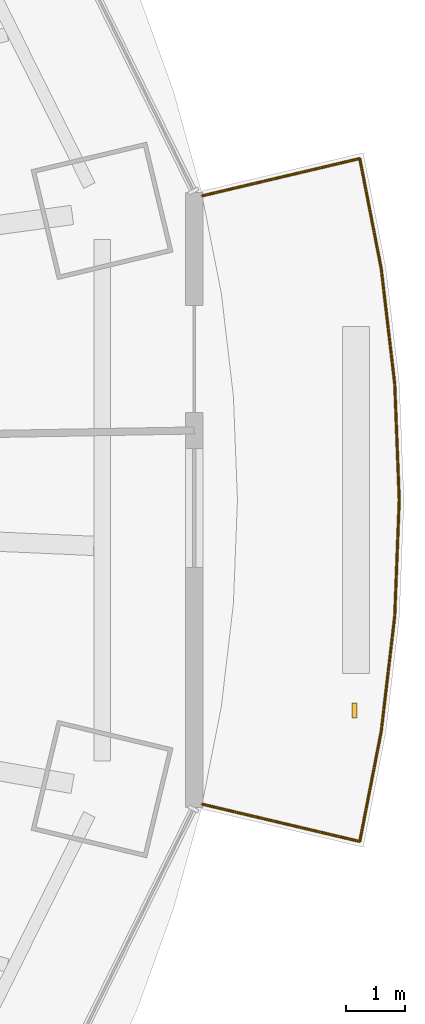
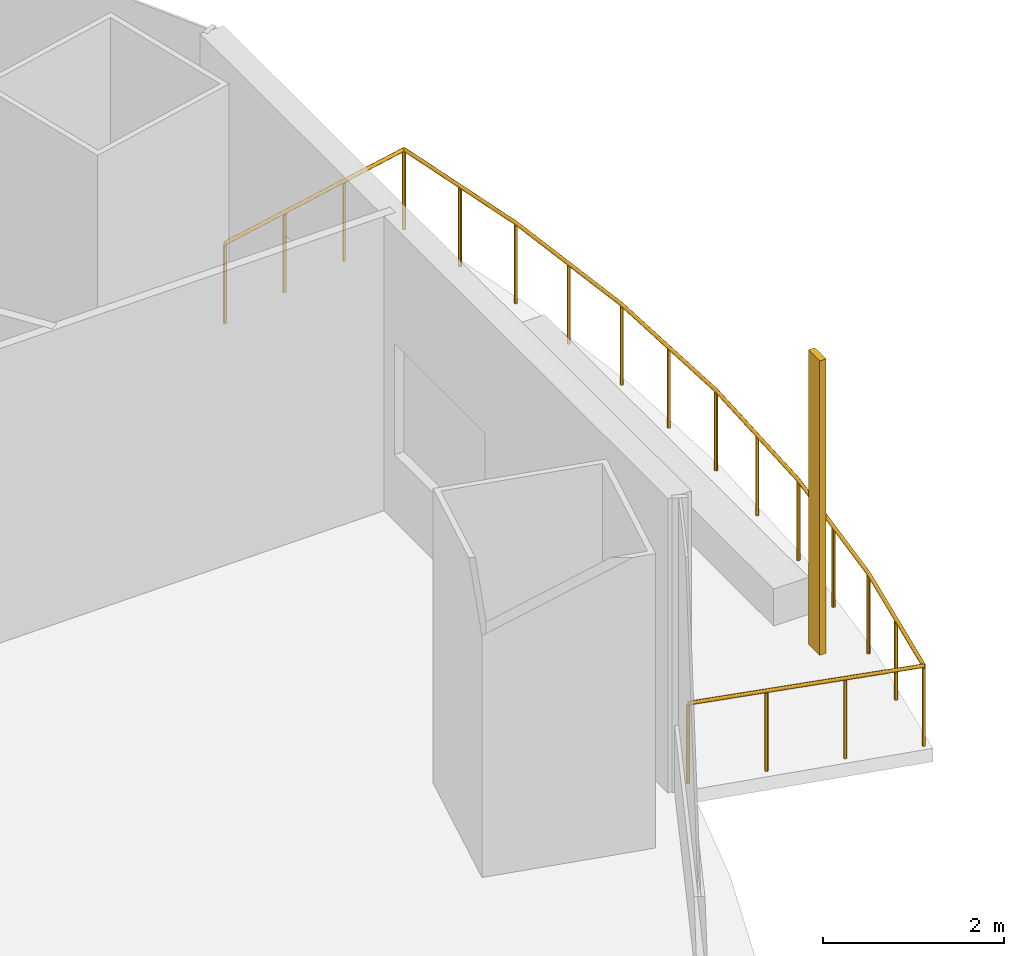
# One storey, part 20 of 21: 1 railing, 1 shading device.
"""IFC4 building model written with IfcOpenShell, lengths in metres."""

from ifc_helpers import new_model, si_unit, direction, frame, origin, origin_2d, place, context, subcontext, project, spatial, rectangle, circle, extrude, material, material_profile, profile_set, type_object, element, save


model = new_model("IFC4")

# Units and contexts
model_context = context("Model", 3, precision=1e-05, world=origin(), true_north=direction((0.0, 1.0)))
body_context = subcontext(model_context, "Body", "Model", "MODEL_VIEW")
ifc_project = project(units=[si_unit("LENGTHUNIT", "METRE"), si_unit("AREAUNIT", "SQUARE_METRE"), si_unit("VOLUMEUNIT", "CUBIC_METRE"), si_unit("PLANEANGLEUNIT", "RADIAN"), si_unit("MASSUNIT", "GRAM", prefix="KILO")], contexts=[model_context])

# Site, building, storey
site_placement = place(None, origin())
site = spatial("IfcSite", under=ifc_project, at=site_placement, CompositionType="ELEMENT")
building_placement = place(site_placement, origin())
building = spatial("IfcBuilding", under=site, at=building_placement, Name="Marenthal Gate Tower", CompositionType="ELEMENT")
storey_placement = place(building_placement, frame((0.0, 0.0, 202.550048828125)))
storey = spatial("IfcBuildingStorey", under=building, at=storey_placement, Name="L44", CompositionType="ELEMENT", Elevation=202.550048828125)

# Railing
ifc_material_1 = material(Name="Stainless steel", Category="steel")
railing_type = type_object("IfcRailingType", Name="Balcony guard 1100", PredefinedType="GUARDRAIL", material=ifc_material_1)
railing_placement = place(storey_placement, frame((32.9013671875, 4.514404296875, 0.0)))
element("IfcRailing", 1, at=railing_placement, inside=storey, type_object=railing_type, Name="Balcony guard L44 bay 16", PredefinedType="GUARDRAIL", context=body_context, shape_type="SweptSolid", body=[
    extrude(circle(Radius=0.02392578125, at=origin_2d()), frame((0.0, 0.0, 1.076171875), z_axis=(0.973011948097, 0.230284879064, -0.014718129449), x_axis=(-0.230309825657, 0.973117353769, 0.0)), (0.0, 0.0, 1.0), 2.720458984375),
    extrude(circle(Radius=0.02392578125, at=origin_2d()), frame((2.64697265625, 0.62646484375, 1.0361328125), z_axis=(0.191345653043, -0.98152271551, 0.0), x_axis=(0.98152271551, 0.191345653043, 0.0)), (0.0, 0.0, 1.0), 1.880615234375),
    extrude(circle(Radius=0.02392578125, at=origin_2d()), frame((3.0068359375, -1.219482421875, 1.0361328125), z_axis=(0.116442969982, -0.993197379548, 0.0), x_axis=(0.993197379548, 0.116442969982, 0.0)), (0.0, 0.0, 1.0), 1.956298828125),
    extrude(circle(Radius=0.02392578125, at=origin_2d()), frame((3.234619140625, -3.162353515625, 1.0361328125), z_axis=(0.038865061228, -0.999244468094, 0.0), x_axis=(0.999244468094, 0.038865061228, 0.0)), (0.0, 0.0, 1.0), 1.95361328125),
    extrude(circle(Radius=0.02392578125, at=origin_2d()), frame((3.310546875, -5.114501953125, 1.0361328125), z_axis=(-0.038865061228, -0.999244468094, 0.0), x_axis=(0.999244468094, -0.038865061228, 0.0)), (0.0, 0.0, 1.0), 1.95361328125),
    extrude(circle(Radius=0.02392578125, at=origin_2d()), frame((3.234619140625, -7.066650390625, 1.0361328125), z_axis=(-0.116457405552, -0.993195687008, 0.0), x_axis=(0.993195687008, -0.116457405552, 0.0)), (0.0, 0.0, 1.0), 1.9560546875),
    extrude(circle(Radius=0.02392578125, at=origin_2d()), frame((3.0068359375, -9.00927734375, 1.0361328125), z_axis=(-0.191345653043, -0.98152271551, 0.0), x_axis=(0.98152271551, -0.191345653043, 0.0)), (0.0, 0.0, 1.0), 1.880615234375),
    extrude(circle(Radius=0.02392578125, at=origin_2d()), frame((2.64697265625, -10.855224609375, 1.0361328125), z_axis=(-0.973011948097, 0.230284879064, 0.014718129449), x_axis=(-0.230309825657, -0.973117353769, 0.0)), (0.0, 0.0, 1.0), 2.720458984375),
    extrude(circle(Radius=0.02099609375, at=origin_2d()), origin(), (0.0, 0.0, 1.0), 1.052001953125),
    extrude(circle(Radius=0.02099609375, at=origin_2d()), frame((0.88232421875, 0.208740234375, -0.013427734375)), (0.0, 0.0, 1.0), 1.052001953125),
    extrude(circle(Radius=0.02099609375, at=origin_2d()), frame((1.7646484375, 0.417724609375, -0.026611328125)), (0.0, 0.0, 1.0), 1.052001953125),
    extrude(circle(Radius=0.02099609375, at=origin_2d()), frame((2.64697265625, 0.62646484375, -0.0400390625)), (0.0, 0.0, 1.0), 1.052001953125),
    extrude(circle(Radius=0.02099609375, at=origin_2d()), frame((2.826904296875, -0.29638671875, -0.0400390625)), (0.0, 0.0, 1.0), 1.052001953125),
    extrude(circle(Radius=0.02099609375, at=origin_2d()), frame((3.0068359375, -1.219482421875, -0.0400390625)), (0.0, 0.0, 1.0), 1.052001953125),
    extrude(circle(Radius=0.02099609375, at=origin_2d()), frame((3.12060546875, -2.19091796875, -0.0400390625)), (0.0, 0.0, 1.0), 1.052001953125),
    extrude(circle(Radius=0.02099609375, at=origin_2d()), frame((3.234619140625, -3.162353515625, -0.0400390625)), (0.0, 0.0, 1.0), 1.052001953125),
    extrude(circle(Radius=0.02099609375, at=origin_2d()), frame((3.2724609375, -4.138427734375, -0.0400390625)), (0.0, 0.0, 1.0), 1.052001953125),
    extrude(circle(Radius=0.02099609375, at=origin_2d()), frame((3.310546875, -5.114501953125, -0.0400390625)), (0.0, 0.0, 1.0), 1.052001953125),
    extrude(circle(Radius=0.02099609375, at=origin_2d()), frame((3.2724609375, -6.090576171875, -0.0400390625)), (0.0, 0.0, 1.0), 1.052001953125),
    extrude(circle(Radius=0.02099609375, at=origin_2d()), frame((3.234619140625, -7.066650390625, -0.0400390625)), (0.0, 0.0, 1.0), 1.052001953125),
    extrude(circle(Radius=0.02099609375, at=origin_2d()), frame((3.12060546875, -8.0380859375, -0.0400390625)), (0.0, 0.0, 1.0), 1.052001953125),
    extrude(circle(Radius=0.02099609375, at=origin_2d()), frame((3.0068359375, -9.00927734375, -0.0400390625)), (0.0, 0.0, 1.0), 1.052001953125),
    extrude(circle(Radius=0.02099609375, at=origin_2d()), frame((2.826904296875, -9.93212890625, -0.0400390625)), (0.0, 0.0, 1.0), 1.052001953125),
    extrude(circle(Radius=0.02099609375, at=origin_2d()), frame((2.64697265625, -10.855224609375, -0.0400390625)), (0.0, 0.0, 1.0), 1.052001953125),
    extrude(circle(Radius=0.02099609375, at=origin_2d()), frame((1.7646484375, -10.646484375, -0.026611328125)), (0.0, 0.0, 1.0), 1.052001953125),
    extrude(circle(Radius=0.02099609375, at=origin_2d()), frame((0.88232421875, -10.4375, -0.013427734375)), (0.0, 0.0, 1.0), 1.052001953125),
    extrude(circle(Radius=0.02099609375, at=origin_2d()), frame((0.0, -10.228759765625, 0.0)), (0.0, 0.0, 1.0), 1.052001953125),
])

# Shading device
ifc_material_2 = material(Name="Terracotta", Category="masonry")
ifc_material_profile = material_profile(ifc_material_2, rectangle(XDim=0.25, YDim=0.080078125, at=origin_2d()), Name="Terracotta baguette 250x80")
ifc_profile_set = profile_set([ifc_material_profile], Name="Terracotta")
shading_device_type = type_object("IfcShadingDeviceType", Name="Terracotta BAGUETTE SCREEN 250x80", PredefinedType="USERDEFINED", material=ifc_profile_set)
shading_device_placement = place(storey_placement, frame((35.4599609375, -4.1376953125, -0.0400390625), z_axis=(0.0, 0.0, 1.0), x_axis=(0.0, 1.0, 0.0)))
element("IfcShadingDevice", 2, at=shading_device_placement, inside=storey, type_object=shading_device_type, Name="Terracotta BAGUETTE L44 bay 16L", ObjectType="BAGUETTE SCREEN", PredefinedType="USERDEFINED", context=body_context, shape_type="SweptSolid", body=[
    extrude(rectangle(XDim=0.25, YDim=0.080078125, at=origin_2d()), origin(), (0.0, 0.0, 1.0), 3.969970703125),
])

save(model, "model.ifc")
